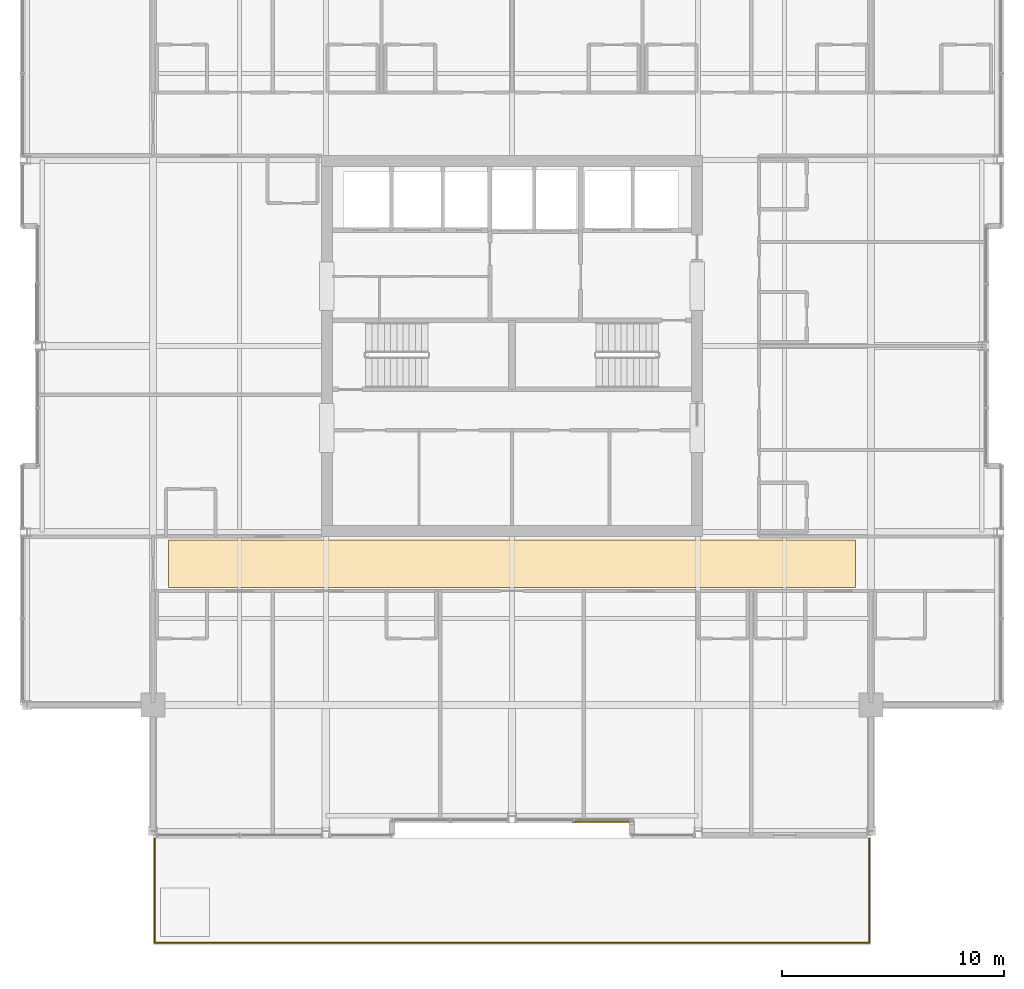
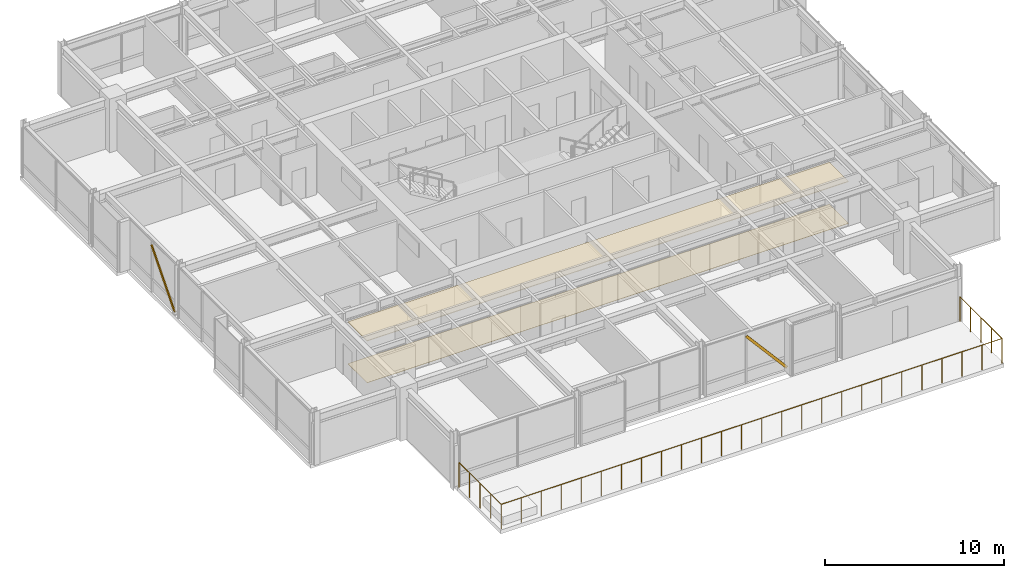
# One storey, part 30 of 32: 2 coverings, 2 shading devices, 1 railing.
"""IFC4 building model written with IfcOpenShell, lengths in metres."""

import ifcopenshell
import ifcopenshell.guid

model = None  # the IFC model being written
_history = None  # IfcOwnerHistory: only IFC2X3 demands one
_inside = {}  # id of a spatial element -> (the spatial element, [elements in it])
_under = {}  # id of a project, library or spatial element -> (it, [spatial elements below it])
_declared = {}  # id of a project -> (the project, [libraries it declares])
_typed = {}  # id of a type object -> (the type object, [elements of that type])
_made_of = {}  # id of a material, layer set ... -> (it, [elements and type objects made of it])


def new_model(schema):
    """Start an empty IFC model of exactly this schema.

    Asked for "IFC4X3", IfcOpenShell would pick the latest addendum, in which some entities
    have other attributes; the version numbers below select the first issue.
    IFC2X3 requires an IfcOwnerHistory on every rooted entity: one is made here for all.
    """
    global model, _history
    if schema == "IFC4X3":
        model = ifcopenshell.file(schema_version=(4, 3, 0, 0))
    else:
        model = ifcopenshell.file(schema=schema)
    _inside.clear()
    _under.clear()
    _declared.clear()
    _typed.clear()
    _made_of.clear()
    _history = None
    if model.schema == "IFC2X3":
        org = make("IfcOrganization", Name="unknown")
        user = make(
            "IfcPersonAndOrganization",
            ThePerson=make("IfcPerson", FamilyName="unknown"),
            TheOrganization=org,
        )
        app = make(
            "IfcApplication",
            ApplicationDeveloper=org,
            Version="unknown",
            ApplicationFullName="unknown",
            ApplicationIdentifier="unknown",
        )
        _history = make(
            "IfcOwnerHistory",
            OwningUser=user,
            OwningApplication=app,
            ChangeAction="ADDED",
            CreationDate=0,
        )
    return model


def make(cls, **values):
    """One entity of the class cls with the attributes given. An attribute that is None is left unset."""
    return model.create_entity(
        cls, **{name: value for name, value in values.items() if value is not None}
    )


def rooted(cls, **values):
    """An entity with a GlobalId (a new one), such as an element, a storey or a relation."""
    return make(cls, GlobalId=ifcopenshell.guid.new(), OwnerHistory=_history, **values)


def si_unit(unit_type, name, prefix=None):
    """IfcSIUnit, for example si_unit("LENGTHUNIT", "METRE", prefix="MILLI")."""
    return make("IfcSIUnit", UnitType=unit_type, Prefix=prefix, Name=name)


def assignment(units):
    """IfcUnitAssignment: the units of a project."""
    return None if units is None else make("IfcUnitAssignment", Units=units)


def point(xyz):
    """IfcCartesianPoint."""
    return None if xyz is None else make("IfcCartesianPoint", Coordinates=xyz)


def direction(xyz):
    """IfcDirection."""
    return None if xyz is None else make("IfcDirection", DirectionRatios=xyz)


def frame(location, z_axis=None, x_axis=None):
    """IfcAxis2Placement3D, a coordinate frame: its origin and axes. An axis left out is left unset."""
    return make(
        "IfcAxis2Placement3D",
        Location=point(location),
        Axis=direction(z_axis),
        RefDirection=direction(x_axis),
    )


def frame_2d(location, x_axis=None):
    """IfcAxis2Placement2D, a coordinate frame in the plane: its origin and x axis."""
    return make(
        "IfcAxis2Placement2D", Location=point(location), RefDirection=direction(x_axis)
    )


def origin():
    """The frame at (0, 0, 0) with its axes left unset."""
    return frame((0.0, 0.0, 0.0))


def origin_2d():
    """The frame at (0, 0) in the plane with its x axis left unset."""
    return frame_2d((0.0, 0.0))


def place(relative_to, where):
    """IfcLocalPlacement: puts the frame where relative to a parent placement (None: the world)."""
    return make(
        "IfcLocalPlacement", PlacementRelTo=relative_to, RelativePlacement=where
    )


def context(
    kind, dimensions, precision=None, world=None, true_north=None, identifier=None
):
    """IfcGeometricRepresentationContext, for example the 3D "Model" context."""
    return make(
        "IfcGeometricRepresentationContext",
        ContextIdentifier=identifier,
        ContextType=kind,
        CoordinateSpaceDimension=dimensions,
        Precision=precision,
        WorldCoordinateSystem=world,
        TrueNorth=true_north,
    )


def subcontext(parent, identifier, kind, view, scale=None):
    """IfcGeometricRepresentationSubContext, for example "Body" below "Model"."""
    return make(
        "IfcGeometricRepresentationSubContext",
        ContextIdentifier=identifier,
        ContextType=kind,
        ParentContext=parent,
        TargetScale=scale,
        TargetView=view,
    )


def project(units=None, contexts=None):
    """IfcProject with its units and contexts."""
    return rooted(
        "IfcProject",
        Name="project",
        RepresentationContexts=contexts,
        UnitsInContext=assignment(units),
    )


def spatial(cls, under=None, at=None, **own):
    """A site, building, storey or space (cls), placed at a placement, below another one or the project."""
    s = rooted(cls, ObjectPlacement=at, **own)
    if under is not None:
        _under.setdefault(under.id(), (under, []))[1].append(s)
    return s


def polyline(points):
    """IfcPolyline through the points."""
    return make("IfcPolyline", Points=[point(p) for p in points])


def profile(cls, at=None, kind="AREA", **sizes):
    """A parametric profile (cls). Its sizes go by their IFC names, for example OverallWidth=200.0."""
    return make(cls, ProfileType=kind, Position=at, **sizes)


def hollow_rectangle(**sizes):
    """IfcRectangleHollowProfileDef."""
    return profile("IfcRectangleHollowProfileDef", **sizes)


def circle(**sizes):
    """IfcCircleProfileDef."""
    return profile("IfcCircleProfileDef", **sizes)


def outline(outer, holes=None, kind="AREA"):
    """IfcArbitraryClosedProfileDef: a profile drawn as a closed curve; with holes, ...WithVoids."""
    if holes is None:
        return make("IfcArbitraryClosedProfileDef", ProfileType=kind, OuterCurve=outer)
    return make(
        "IfcArbitraryProfileDefWithVoids",
        ProfileType=kind,
        OuterCurve=outer,
        InnerCurves=holes,
    )


def extrude(swept, where, along, depth):
    """IfcExtrudedAreaSolid: the profile swept, set in the frame where, extruded along a direction by depth."""
    return make(
        "IfcExtrudedAreaSolid",
        SweptArea=swept,
        Position=where,
        ExtrudedDirection=direction(along),
        Depth=depth,
    )


def shape(context_of_items, identifier, shape_type, items):
    """IfcShapeRepresentation: the items that make up one representation, for example the "Body"."""
    return make(
        "IfcShapeRepresentation",
        ContextOfItems=context_of_items,
        RepresentationIdentifier=identifier,
        RepresentationType=shape_type,
        Items=items,
    )


def material(Name=None, Category=None):
    """IfcMaterial."""
    return make("IfcMaterial", Name=Name, Category=Category)


def layer(
    of_material, thickness, ventilated=None, Name=None, Category=None, Priority=None
):
    """IfcMaterialLayer: one layer of a wall or slab, of a material (None: an air gap)."""
    return make(
        "IfcMaterialLayer",
        Material=of_material,
        LayerThickness=thickness,
        IsVentilated=ventilated,
        Name=Name,
        Category=Category,
        Priority=Priority,
    )


def layer_set(layers, Name=None):
    """IfcMaterialLayerSet."""
    return make("IfcMaterialLayerSet", MaterialLayers=layers, LayerSetName=Name)


def material_profile(
    of_material, cross_section, Name=None, Category=None, Priority=None
):
    """IfcMaterialProfile: a cross section and its material."""
    return make(
        "IfcMaterialProfile",
        Name=Name,
        Material=of_material,
        Profile=cross_section,
        Priority=Priority,
        Category=Category,
    )


def profile_set(profiles, Name=None, composite=None):
    """IfcMaterialProfileSet."""
    return make(
        "IfcMaterialProfileSet",
        Name=Name,
        MaterialProfiles=profiles,
        CompositeProfile=composite,
    )


def made_of(thing, what):
    """Note that an element or type object is made of a material, layer set ...; save() writes the relation."""
    if what is not None:
        _made_of.setdefault(what.id(), (what, []))[1].append(thing)
    return thing


def type_object(cls, material=None, **own):
    """A type object (cls), such as IfcWallType, which elements share."""
    return made_of(rooted(cls, **own), material)


def element(
    cls,
    number,
    at=None,
    inside=None,
    cuts=None,
    type_object=None,
    material=None,
    context=None,
    identifier="Body",
    shape_type=None,
    held_by="IfcProductDefinitionShape",
    body=None,
    shapes=None,
    **own,
):
    """One element of the class cls, such as IfcWall. Its Tag is "e" and its number.

    at: its placement. inside: the storey or other place that contains it. cuts: it is an
    opening in that element (IfcRelVoidsElement). A single representation is given by context,
    identifier, shape_type and body (its items); several are given by shapes. held_by: the class
    of the entity that holds the representations. save() writes the other relations.
    """
    e = rooted(cls, Tag="e%d" % number, ObjectPlacement=at, **own)
    if body is not None:
        shapes = [shape(context, identifier, shape_type, body)]
    if shapes is not None:
        e.Representation = make(held_by, Representations=shapes)
    if inside is not None:
        _inside.setdefault(inside.id(), (inside, []))[1].append(e)
    if cuts is not None:
        rooted(
            "IfcRelVoidsElement", RelatingBuildingElement=cuts, RelatedOpeningElement=e
        )
    if type_object is not None:
        _typed.setdefault(type_object.id(), (type_object, []))[1].append(e)
    return made_of(e, material)


def aggregate(whole, parts):
    """IfcRelAggregates: a whole, such as a stair, and the parts it consists of."""
    return rooted("IfcRelAggregates", RelatingObject=whole, RelatedObjects=parts)


def save(model, path):
    """Write the relations noted so far, then the file.

    IfcRelAggregates (storeys below a building ...), IfcRelContainedInSpatialStructure (elements
    in a storey), IfcRelDefinesByType, IfcRelAssociatesMaterial and IfcRelDeclares: one each for
    every whole, place, type object, material and project.
    """
    for whole, parts in _under.values():
        aggregate(whole, parts)
    for where, things in _inside.values():
        rooted(
            "IfcRelContainedInSpatialStructure",
            RelatedElements=things,
            RelatingStructure=where,
        )
    for kind, things in _typed.values():
        rooted("IfcRelDefinesByType", RelatedObjects=things, RelatingType=kind)
    for what, things in _made_of.values():
        rooted("IfcRelAssociatesMaterial", RelatedObjects=things, RelatingMaterial=what)
    for by, libraries in _declared.values():
        rooted("IfcRelDeclares", RelatingContext=by, RelatedDefinitions=libraries)
    model.write(path)


model = new_model("IFC4")

# Units and contexts
model_context = context("Model", 3, precision=1e-05, world=origin(), true_north=direction((0.0, 1.0)))
body_context = subcontext(model_context, "Body", "Model", "MODEL_VIEW")
ifc_project = project(units=[si_unit("LENGTHUNIT", "METRE"), si_unit("AREAUNIT", "SQUARE_METRE"), si_unit("VOLUMEUNIT", "CUBIC_METRE"), si_unit("PLANEANGLEUNIT", "RADIAN"), si_unit("MASSUNIT", "GRAM", prefix="KILO")], contexts=[model_context])

# Site, building, storey
site_placement = place(None, origin())
site = spatial("IfcSite", under=ifc_project, at=site_placement, CompositionType="ELEMENT")
building_placement = place(site_placement, origin())
building = spatial("IfcBuilding", under=site, at=building_placement, Name="Drelvath Grand Hotel", CompositionType="ELEMENT")
storey_placement = place(building_placement, frame((0.0, 0.0, 265.0)))
storey = spatial("IfcBuildingStorey", under=building, at=storey_placement, Name="L69", CompositionType="ELEMENT", Elevation=265.0)

# Shading devices
ifc_material_1 = material(Name="Platinum-Mist Anodised Aluminium", Category="aluminium")
ifc_material_profile = material_profile(ifc_material_1, hollow_rectangle(XDim=0.06494140625, YDim=0.159912109375, WallThickness=0.00390625, at=origin_2d()), Name="HSS160X65X4")
ifc_profile_set = profile_set([ifc_material_profile], Name="Platinum-Mist Anodised Aluminium")
shading_device_type = type_object("IfcShadingDeviceType", Name="Diagonal Solar Fin Platinum Anodised HSS160X65X4", PredefinedType="USERDEFINED", material=ifc_profile_set)
for number, where, z_axis, x_axis, name in (
    (1, (-21.47998046875, 27.17822265625, 0.179931640625), (0.0, 0.652759690276, 0.757565037967), (-1.0, 0.0, 0.0), "L69 Diagonal Anodised Fin CW05-L69-WM2"),
    (2, (5.39990234375, 5.52001953125, 0.179931640625), (-0.652759690276, 0.0, 0.757565037967), (0.0, -1.0, 0.0), "L69 Diagonal Anodised Fin CW05-L69-SM2"),
):
    element("IfcShadingDevice", number, at=place(storey_placement, frame(where, z_axis=z_axis, x_axis=x_axis)), inside=storey, type_object=shading_device_type, Name=name, ObjectType="FIN", PredefinedType="USERDEFINED", context=body_context, shape_type="SweptSolid", body=[
        extrude(hollow_rectangle(XDim=0.06494140625, YDim=0.159912109375, WallThickness=0.00390625, at=origin_2d()), origin(), (0.0, 0.0, 1.0), 3.999755859375),
    ])

# Coverings
ifc_material_2 = material(Name="Woven Wool Broadloom Carpet")
ifc_layer_1 = layer(ifc_material_2, 0.01806640625)
ifc_layer_set_1 = layer_set([ifc_layer_1], Name="Woven Wool Broadloom Carpet")
covering_type_1 = type_object("IfcCoveringType", Name="Hospitality Broadloom Carpet 18", PredefinedType="FLOORING", material=ifc_layer_set_1)
covering_1_placement = place(storey_placement, origin())
element("IfcCovering", 3, at=covering_1_placement, inside=storey, type_object=covering_type_1, Name="L69 Upper Gallery Carpet", PredefinedType="FLOORING", context=body_context, shape_type="SweptSolid", body=[
    extrude(outline(polyline([(15.5, 16.10009765625), (15.5, 18.25), (-15.5, 18.25), (-15.5, 16.10009765625), (15.5, 16.10009765625)])), origin(), (0.0, 0.0, 1.0), 0.01806640625),
])
ifc_material_3 = material(Name="Anodised Aluminium Alloy", Category="aluminium")
ifc_layer_2 = layer(ifc_material_3, 0.0400390625)
ifc_layer_set_2 = layer_set([ifc_layer_2], Name="Anodised Aluminium Alloy")
covering_type_2 = type_object("IfcCoveringType", Name="Perforated Metal Corridor Ceiling 40", PredefinedType="CEILING", material=ifc_layer_set_2)
covering_2_placement = place(storey_placement, frame((0.0, 0.0, 2.840087890625)))
element("IfcCovering", 4, at=covering_2_placement, inside=storey, type_object=covering_type_2, Name="L69 Upper Gallery Ceiling", PredefinedType="CEILING", context=body_context, shape_type="SweptSolid", body=[
    extrude(outline(polyline([(15.5, 16.10009765625), (15.5, 18.25), (-15.5, 18.25), (-15.5, 16.10009765625), (15.5, 16.10009765625)])), origin(), (0.0, 0.0, 1.0), 0.039794921875),
])

# Railing
ifc_material_4 = material(Name="Anodised Aluminium and Laminated Glass Balustrade", Category="aluminium")
railing_type = type_object("IfcRailingType", Name="Raised Planter Edge Balustrade 1700", PredefinedType="BALUSTRADE", material=ifc_material_4)
railing_placement = place(storey_placement, frame((-16.1201171875, 4.780029296875, 0.0)))
element("IfcRailing", 5, at=railing_placement, inside=storey, type_object=railing_type, Name="L69 Setback Terrace Perimeter Balustrade 1", PredefinedType="BALUSTRADE", context=body_context, shape_type="SweptSolid", body=[
    extrude(circle(Radius=0.02392578125, at=origin_2d()), frame((0.0, 0.0, 1.67578125), z_axis=(0.0, -1.0, 0.0), x_axis=(1.0, 0.0, 0.0)), (0.0, 0.0, 1.0), 4.699951171875),
    extrude(circle(Radius=0.02392578125, at=origin_2d()), frame((0.0, -4.699951171875, 1.67578125), z_axis=(1.0, 0.0, 0.0), x_axis=(0.0, 1.0, 0.0)), (0.0, 0.0, 1.0), 32.240234375),
    extrude(circle(Radius=0.02392578125, at=origin_2d()), frame((32.240234375, -4.699951171875, 1.67578125), z_axis=(0.0, 1.0, 0.0), x_axis=(-1.0, 0.0, 0.0)), (0.0, 0.0, 1.0), 4.699951171875),
    extrude(circle(Radius=0.02099609375, at=origin_2d()), origin(), (0.0, 0.0, 1.0), 1.65185546875),
    extrude(circle(Radius=0.02099609375, at=origin_2d()), frame((0.0, -1.175048828125, 0.0)), (0.0, 0.0, 1.0), 1.65185546875),
    extrude(circle(Radius=0.02099609375, at=origin_2d()), frame((0.0, -2.35009765625, 0.0)), (0.0, 0.0, 1.0), 1.65185546875),
    extrude(circle(Radius=0.02099609375, at=origin_2d()), frame((0.0, -3.52490234375, 0.0)), (0.0, 0.0, 1.0), 1.65185546875),
    extrude(circle(Radius=0.02099609375, at=origin_2d()), frame((0.0, -4.699951171875, 0.0)), (0.0, 0.0, 1.0), 1.65185546875),
    extrude(circle(Radius=0.02099609375, at=origin_2d()), frame((1.28955078125, -4.699951171875, 0.0)), (0.0, 0.0, 1.0), 1.65185546875),
    extrude(circle(Radius=0.02099609375, at=origin_2d()), frame((2.5791015625, -4.699951171875, 0.0)), (0.0, 0.0, 1.0), 1.65185546875),
    extrude(circle(Radius=0.02099609375, at=origin_2d()), frame((3.868896484375, -4.699951171875, 0.0)), (0.0, 0.0, 1.0), 1.65185546875),
    extrude(circle(Radius=0.02099609375, at=origin_2d()), frame((5.158447265625, -4.699951171875, 0.0)), (0.0, 0.0, 1.0), 1.65185546875),
    extrude(circle(Radius=0.02099609375, at=origin_2d()), frame((6.447998046875, -4.699951171875, 0.0)), (0.0, 0.0, 1.0), 1.65185546875),
    extrude(circle(Radius=0.02099609375, at=origin_2d()), frame((7.737548828125, -4.699951171875, 0.0)), (0.0, 0.0, 1.0), 1.65185546875),
    extrude(circle(Radius=0.02099609375, at=origin_2d()), frame((9.02734375, -4.699951171875, 0.0)), (0.0, 0.0, 1.0), 1.65185546875),
    extrude(circle(Radius=0.02099609375, at=origin_2d()), frame((10.31689453125, -4.699951171875, 0.0)), (0.0, 0.0, 1.0), 1.65185546875),
    extrude(circle(Radius=0.02099609375, at=origin_2d()), frame((11.6064453125, -4.699951171875, 0.0)), (0.0, 0.0, 1.0), 1.65185546875),
    extrude(circle(Radius=0.02099609375, at=origin_2d()), frame((12.89599609375, -4.699951171875, 0.0)), (0.0, 0.0, 1.0), 1.65185546875),
    extrude(circle(Radius=0.02099609375, at=origin_2d()), frame((14.185791015625, -4.699951171875, 0.0)), (0.0, 0.0, 1.0), 1.65185546875),
    extrude(circle(Radius=0.02099609375, at=origin_2d()), frame((15.475341796875, -4.699951171875, 0.0)), (0.0, 0.0, 1.0), 1.65185546875),
    extrude(circle(Radius=0.02099609375, at=origin_2d()), frame((16.764892578125, -4.699951171875, 0.0)), (0.0, 0.0, 1.0), 1.65185546875),
    extrude(circle(Radius=0.02099609375, at=origin_2d()), frame((18.054443359375, -4.699951171875, 0.0)), (0.0, 0.0, 1.0), 1.65185546875),
    extrude(circle(Radius=0.02099609375, at=origin_2d()), frame((19.34423828125, -4.699951171875, 0.0)), (0.0, 0.0, 1.0), 1.65185546875),
    extrude(circle(Radius=0.02099609375, at=origin_2d()), frame((20.6337890625, -4.699951171875, 0.0)), (0.0, 0.0, 1.0), 1.65185546875),
    extrude(circle(Radius=0.02099609375, at=origin_2d()), frame((21.92333984375, -4.699951171875, 0.0)), (0.0, 0.0, 1.0), 1.65185546875),
    extrude(circle(Radius=0.02099609375, at=origin_2d()), frame((23.212890625, -4.699951171875, 0.0)), (0.0, 0.0, 1.0), 1.65185546875),
    extrude(circle(Radius=0.02099609375, at=origin_2d()), frame((24.502685546875, -4.699951171875, 0.0)), (0.0, 0.0, 1.0), 1.65185546875),
    extrude(circle(Radius=0.02099609375, at=origin_2d()), frame((25.792236328125, -4.699951171875, 0.0)), (0.0, 0.0, 1.0), 1.65185546875),
    extrude(circle(Radius=0.02099609375, at=origin_2d()), frame((27.081787109375, -4.699951171875, 0.0)), (0.0, 0.0, 1.0), 1.65185546875),
    extrude(circle(Radius=0.02099609375, at=origin_2d()), frame((28.371337890625, -4.699951171875, 0.0)), (0.0, 0.0, 1.0), 1.65185546875),
    extrude(circle(Radius=0.02099609375, at=origin_2d()), frame((29.6611328125, -4.699951171875, 0.0)), (0.0, 0.0, 1.0), 1.65185546875),
    extrude(circle(Radius=0.02099609375, at=origin_2d()), frame((30.95068359375, -4.699951171875, 0.0)), (0.0, 0.0, 1.0), 1.65185546875),
    extrude(circle(Radius=0.02099609375, at=origin_2d()), frame((32.240234375, -4.699951171875, 0.0)), (0.0, 0.0, 1.0), 1.65185546875),
    extrude(circle(Radius=0.02099609375, at=origin_2d()), frame((32.240234375, -3.52490234375, 0.0)), (0.0, 0.0, 1.0), 1.65185546875),
    extrude(circle(Radius=0.02099609375, at=origin_2d()), frame((32.240234375, -2.35009765625, 0.0)), (0.0, 0.0, 1.0), 1.65185546875),
    extrude(circle(Radius=0.02099609375, at=origin_2d()), frame((32.240234375, -1.175048828125, 0.0)), (0.0, 0.0, 1.0), 1.65185546875),
    extrude(circle(Radius=0.02099609375, at=origin_2d()), frame((32.240234375, 0.0, 0.0)), (0.0, 0.0, 1.0), 1.65185546875),
])

save(model, "model.ifc")
